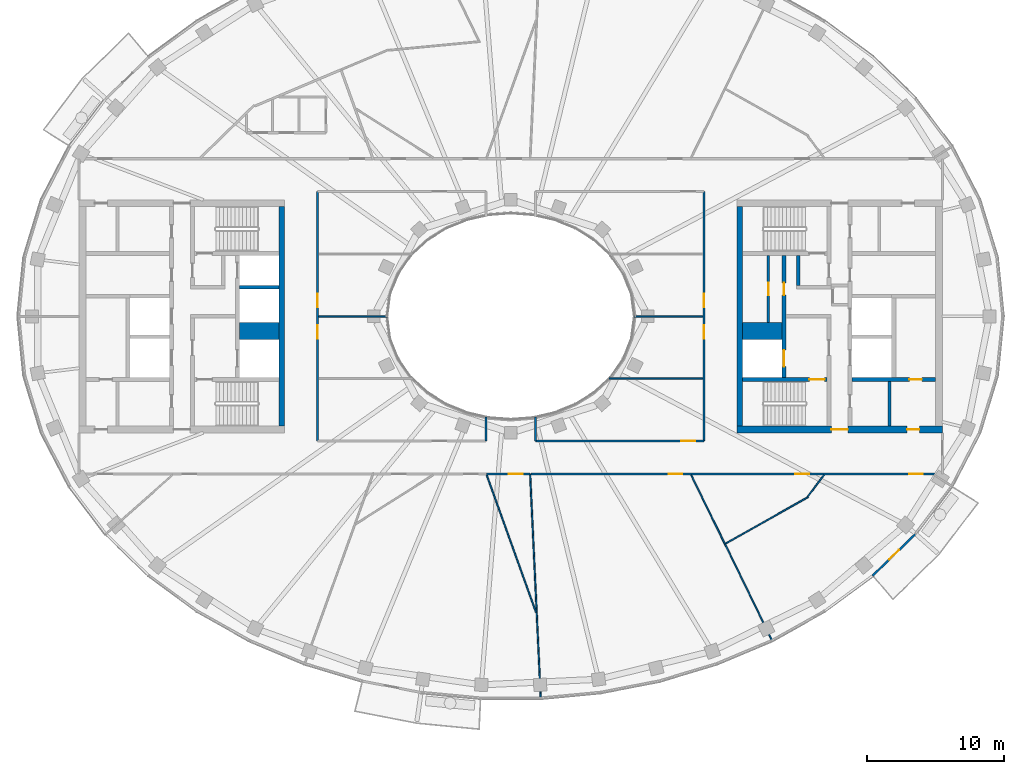
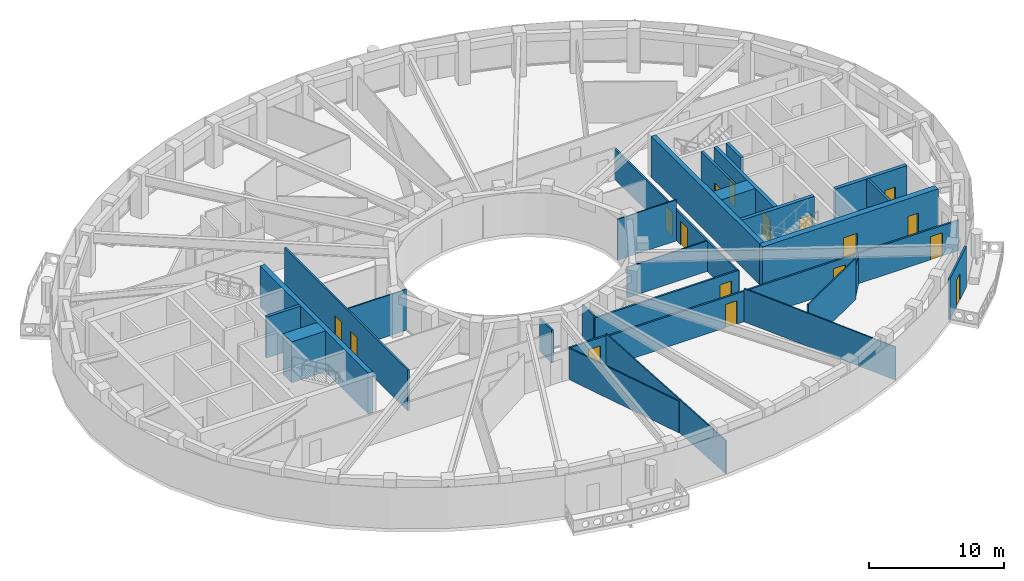
# One storey, part 4 of 16: 28 walls, 17 doors, 17 openings.
"""IFC4 building model written with IfcOpenShell, lengths in metres."""

from ifc_helpers import new_model, si_unit, direction, frame, frame_2d, origin, place, context, subcontext, project, spatial, rectangle, extrude, material, layer, layer_set, type_object, element, fill, save


model = new_model("IFC4")

# Units and contexts
model_context = context("Model", 3, precision=1e-05, world=origin(), true_north=direction((0.0, 1.0)))
body_context = subcontext(model_context, "Body", "Model", "MODEL_VIEW")
ifc_project = project(units=[si_unit("LENGTHUNIT", "METRE"), si_unit("AREAUNIT", "SQUARE_METRE"), si_unit("VOLUMEUNIT", "CUBIC_METRE"), si_unit("PLANEANGLEUNIT", "RADIAN"), si_unit("MASSUNIT", "GRAM", prefix="KILO")], contexts=[model_context])

# Site, building, storey
site_placement = place(None, origin())
site = spatial("IfcSite", under=ifc_project, at=site_placement, CompositionType="ELEMENT")
building_placement = place(site_placement, origin())
building = spatial("IfcBuilding", under=site, at=building_placement, Name="Noorbagh Ring Tower", CompositionType="ELEMENT")
storey_placement = place(building_placement, frame((0.0, 0.0, 303.0)))
storey = spatial("IfcBuildingStorey", under=building, at=storey_placement, Name="L65", CompositionType="ELEMENT", Elevation=303.0)

# Wall, opening, door
ifc_material_1 = material(Name="Gypsum board on steel studs", Category="steel")
ifc_layer_1 = layer(ifc_material_1, 0.199951171875)
ifc_layer_set_1 = layer_set([ifc_layer_1], Name="Gypsum board on steel studs")
wall_type_1 = type_object("IfcWallType", Name="CORE-PARTITION-200", PredefinedType="PARTITIONING", material=ifc_layer_set_1)
wall_1_placement = place(storey_placement, frame((18.800048828125, -0.449951171875, 0.0), z_axis=(0.0, 0.0, 1.0), x_axis=(0.0, 1.0, 0.0)))
wall_1 = element("IfcWall", 1, at=wall_1_placement, inside=storey, type_object=wall_type_1, Name="Core partition E", PredefinedType="PARTITIONING", context=body_context, shape_type="SweptSolid", body=[
    extrude(rectangle(XDim=4.89990234375, YDim=0.199951171875, at=frame_2d((2.449951171875, 0.0))), origin(), (0.0, 0.0, 1.0), 3.699951171875),
])
opening_1_placement = place(wall_1_placement, frame((2.0, 0.0, 0.0)))
opening_1 = element("IfcOpeningElement", 2, at=opening_1_placement, cuts=wall_1, Name="Opening L65-CE11", PredefinedType="OPENING", context=body_context, shape_type="SweptSolid", body=[
    extrude(rectangle(XDim=0.89990234375, YDim=2.10009765625, at=frame_2d((0.449951171875, 1.050048828125))), frame((0.0, 0.10986328125, 0.0), z_axis=(0.0, -1.0, 0.0), x_axis=(1.0, 0.0, 0.0)), (0.0, 0.0, 1.0), 0.219970703125),
])
ifc_material_2 = material(Name="Steel door leaf", Category="steel")
door_type_1 = type_object("IfcDoorType", Name="CORE-DOOR-DROOM", OperationType="SINGLE_SWING_LEFT", PredefinedType="DOOR", material=ifc_material_2)
door_1_placement = place(opening_1_placement, origin())
door_1 = element("IfcDoor", 3, at=door_1_placement, inside=storey, type_object=door_type_1, Name="Core room door L65-CE11", OperationType="SINGLE_SWING_RIGHT", OverallHeight=2.10009765625, OverallWidth=0.89990234375, PredefinedType="DOOR", context=body_context, shape_type="SweptSolid", body=[
    extrude(rectangle(XDim=0.89990234375, YDim=2.10009765625, at=frame_2d((0.449951171875, 1.050048828125))), frame((0.0, 0.02490234375, 0.0), z_axis=(0.0, -1.0, 0.0), x_axis=(1.0, 0.0, 0.0)), (0.0, 0.0, 1.0), 0.050048828125),
])
fill(opening_1, door_1)

# Walls
wall_2_placement = place(storey_placement, frame((27.64990234375, -8.0, 0.0), z_axis=(0.0, 0.0, 1.0), x_axis=(0.0, 1.0, 0.0)))
element("IfcWall", 4, at=wall_2_placement, inside=storey, type_object=wall_type_1, Name="Core partition E", PredefinedType="PARTITIONING", context=body_context, shape_type="SweptSolid", body=[
    extrude(rectangle(XDim=3.25, YDim=0.199951171875, at=frame_2d((1.625, 0.0))), origin(), (0.0, 0.0, 1.0), 3.699951171875),
])
ifc_material_3 = material(Name="Concrete C50/60", Category="concrete")
ifc_layer_2 = layer(ifc_material_3, 1.25)
ifc_layer_set_2 = layer_set([ifc_layer_2], Name="Concrete C50/60")
wall_type_2 = type_object("IfcWallType", Name="CORE-WALL-1250-C50-60-EI120", PredefinedType="SHEAR", material=ifc_layer_set_2)
for number, where, z_axis, x_axis, name in (
    (5, (-16.89990234375, -1.074951171875, 0.0), (0.0, 0.0, 1.0), (-1.0, 0.0, 0.0), "Core wall W"),
    (6, (16.89990234375, -1.074951171875, 0.0), (0.0, 0.0, 1.0), (1.0, 0.0, 0.0), "Core wall E"),
):
    element("IfcWall", number, at=place(storey_placement, frame(where, z_axis=z_axis, x_axis=x_axis)), inside=storey, type_object=wall_type_2, Name=name, PredefinedType="SHEAR", context=body_context, shape_type="SweptSolid", body=[
        extrude(rectangle(XDim=2.900146484375, YDim=1.25, at=frame_2d((1.4501953125, 0.0))), origin(), (0.0, 0.0, 1.0), 3.699951171875),
    ])
ifc_material_4 = material(Name="Concrete C50/60", Category="concrete")
ifc_layer_3 = layer(ifc_material_4, 0.25)
ifc_layer_set_3 = layer_set([ifc_layer_3], Name="Concrete C50/60")
wall_type_3 = type_object("IfcWallType", Name="CORE-WALL-250-C50-60-EI120", PredefinedType="SHEAR", material=ifc_layer_set_3)
wall_3_placement = place(storey_placement, frame((-16.89990234375, 2.125, 0.0), z_axis=(0.0, 0.0, 1.0), x_axis=(-1.0, 0.0, 0.0)))
element("IfcWall", 7, at=wall_3_placement, inside=storey, type_object=wall_type_3, Name="Core wall W", PredefinedType="SHEAR", context=body_context, shape_type="SweptSolid", body=[
    extrude(rectangle(XDim=2.900146484375, YDim=0.25, at=frame_2d((1.4501953125, 0.0))), origin(), (0.0, 0.0, 1.0), 3.699951171875),
])
ifc_material_5 = material(Name="Concrete C50/60", Category="concrete")
ifc_layer_4 = layer(ifc_material_5, 0.25)
ifc_layer_set_4 = layer_set([ifc_layer_4], Name="Concrete C50/60")
wall_type_4 = type_object("IfcWallType", Name="CORE-WALL-250-C50-60-EI240", PredefinedType="SHEAR", material=ifc_layer_set_4)
wall_4_placement = place(storey_placement, frame((20.97509765625, 2.25, 0.0), z_axis=(0.0, 0.0, 1.0), x_axis=(0.0, 1.0, 0.0)))
element("IfcWall", 8, at=wall_4_placement, inside=storey, type_object=wall_type_4, Name="Core wall E", PredefinedType="SHEAR", context=body_context, shape_type="SweptSolid", body=[
    extrude(rectangle(XDim=2.199951171875, YDim=0.25, at=frame_2d((1.10009765625, 0.0))), origin(), (0.0, 0.0, 1.0), 3.699951171875),
])

# Wall, openings, doors
ifc_material_6 = material(Name="Concrete C50/60", Category="concrete")
ifc_layer_5 = layer(ifc_material_6, 0.300048828125)
ifc_layer_set_5 = layer_set([ifc_layer_5], Name="Concrete C50/60")
wall_type_5 = type_object("IfcWallType", Name="CORE-WALL-300-C50-60-EI120", PredefinedType="SHEAR", material=ifc_layer_set_5)
wall_5_placement = place(storey_placement, frame((19.949951171875, -4.449951171875, 0.0), z_axis=(0.0, 0.0, 1.0), x_axis=(0.0, 1.0, 0.0)))
wall_5 = element("IfcWall", 9, at=wall_5_placement, inside=storey, type_object=wall_type_5, Name="Core wall E", PredefinedType="SHEAR", context=body_context, shape_type="SweptSolid", body=[
    extrude(rectangle(XDim=8.89990234375, YDim=0.300048828125, at=frame_2d((4.449951171875, 0.0))), origin(), (0.0, 0.0, 1.0), 3.699951171875),
])
opening_2_placement = place(wall_5_placement, frame((0.77490234375, 0.0, 0.0)))
opening_2 = element("IfcOpeningElement", 10, at=opening_2_placement, cuts=wall_5, Name="Opening L65-CE01", PredefinedType="OPENING", context=body_context, shape_type="SweptSolid", body=[
    extrude(rectangle(XDim=1.199951171875, YDim=2.10009765625, at=frame_2d((0.60009765625, 1.050048828125))), frame((0.0, 0.16015625, 0.0), z_axis=(0.0, -1.0, 0.0), x_axis=(1.0, 0.0, 0.0)), (0.0, 0.0, 1.0), 0.320068359375),
])
opening_3_placement = place(wall_5_placement, frame((6.0, 0.0, 0.0)))
opening_3 = element("IfcOpeningElement", 11, at=opening_3_placement, cuts=wall_5, Name="Opening L65-CE10", PredefinedType="OPENING", context=body_context, shape_type="SweptSolid", body=[
    extrude(rectangle(XDim=0.89990234375, YDim=2.10009765625, at=frame_2d((0.449951171875, 1.050048828125))), frame((0.0, 0.16015625, 0.0), z_axis=(0.0, -1.0, 0.0), x_axis=(1.0, 0.0, 0.0)), (0.0, 0.0, 1.0), 0.320068359375),
])
door_2_placement = place(opening_3_placement, origin())
door_2 = element("IfcDoor", 12, at=door_2_placement, inside=storey, type_object=door_type_1, Name="Core room door L65-CE10", OperationType="SINGLE_SWING_RIGHT", OverallHeight=2.10009765625, OverallWidth=0.89990234375, PredefinedType="DOOR", context=body_context, shape_type="SweptSolid", body=[
    extrude(rectangle(XDim=0.89990234375, YDim=2.10009765625, at=frame_2d((0.449951171875, 1.050048828125))), frame((0.0, 0.02490234375, 0.0), z_axis=(0.0, -1.0, 0.0), x_axis=(1.0, 0.0, 0.0)), (0.0, 0.0, 1.0), 0.050048828125),
])
fill(opening_3, door_2)
ifc_material_7 = material(Name="Steel door leaf", Category="steel")
door_type_2 = type_object("IfcDoorType", Name="CORE-DOOR-LDW", OperationType="DOUBLE_DOOR_SLIDING", PredefinedType="DOOR", material=ifc_material_7)
door_3_placement = place(opening_2_placement, origin())
door_3 = element("IfcDoor", 13, at=door_3_placement, inside=storey, type_object=door_type_2, Name="Landing door FF2 L65-CE01", OperationType="DOUBLE_DOOR_SLIDING", OverallHeight=2.10009765625, OverallWidth=1.199951171875, PredefinedType="DOOR", context=body_context, shape_type="SweptSolid", body=[
    extrude(rectangle(XDim=1.199951171875, YDim=2.10009765625, at=frame_2d((0.60009765625, 1.050048828125))), frame((0.0, 0.02490234375, 0.0), z_axis=(0.0, -1.0, 0.0), x_axis=(1.0, 0.0, 0.0)), (0.0, 0.0, 1.0), 0.050048828125),
])
fill(opening_2, door_3)

# Wall, opening, door
ifc_material_8 = material(Name="Concrete C50/60", Category="concrete")
ifc_layer_6 = layer(ifc_material_8, 0.300048828125)
ifc_layer_set_6 = layer_set([ifc_layer_6], Name="Concrete C50/60")
wall_type_6 = type_object("IfcWallType", Name="CORE-WALL-300-C50-60-EI240", PredefinedType="SHEAR", material=ifc_layer_set_6)
wall_6_placement = place(storey_placement, frame((24.89990234375, -4.60009765625, 0.0), z_axis=(0.0, 0.0, 1.0), x_axis=(1.0, 0.0, 0.0)))
wall_6 = element("IfcWall", 14, at=wall_6_placement, inside=storey, type_object=wall_type_6, Name="Core wall E", PredefinedType="SHEAR", context=body_context, shape_type="SweptSolid", body=[
    extrude(rectangle(XDim=6.10009765625, YDim=0.300048828125, at=frame_2d((3.050048828125, 0.0))), origin(), (0.0, 0.0, 1.0), 3.699951171875),
])
opening_4_placement = place(wall_6_placement, frame((4.199951171875, 0.0, 0.0)))
opening_4 = element("IfcOpeningElement", 15, at=opening_4_placement, cuts=wall_6, Name="Opening L65-CE18", PredefinedType="OPENING", context=body_context, shape_type="SweptSolid", body=[
    extrude(rectangle(XDim=0.89990234375, YDim=2.10009765625, at=frame_2d((0.449951171875, 1.050048828125))), frame((0.0, 0.16015625, 0.0), z_axis=(0.0, -1.0, 0.0), x_axis=(1.0, 0.0, 0.0)), (0.0, 0.0, 1.0), 0.320068359375),
])
door_4_placement = place(opening_4_placement, origin())
door_4 = element("IfcDoor", 16, at=door_4_placement, inside=storey, type_object=door_type_1, Name="Core room door L65-CE18", OperationType="SINGLE_SWING_LEFT", OverallHeight=2.10009765625, OverallWidth=0.89990234375, PredefinedType="DOOR", context=body_context, shape_type="SweptSolid", body=[
    extrude(rectangle(XDim=0.89990234375, YDim=2.10009765625, at=frame_2d((0.449951171875, 1.050048828125))), frame((0.0, 0.02490234375, 0.0), z_axis=(0.0, -1.0, 0.0), x_axis=(1.0, 0.0, 0.0)), (0.0, 0.0, 1.0), 0.050048828125),
])
fill(opening_4, door_4)

wall_7_placement = place(storey_placement, frame((16.89990234375, -4.60009765625, 0.0), z_axis=(0.0, 0.0, 1.0), x_axis=(1.0, 0.0, 0.0)))
wall_7 = element("IfcWall", 17, at=wall_7_placement, inside=storey, type_object=wall_type_6, Name="Core wall E", PredefinedType="SHEAR", context=body_context, shape_type="SweptSolid", body=[
    extrude(rectangle(XDim=6.18017578125, YDim=0.300048828125, at=frame_2d((3.090087890625, 0.0))), origin(), (0.0, 0.0, 1.0), 3.699951171875),
])
opening_5_placement = place(wall_7_placement, frame((4.89990234375, 0.0, 0.0)))
opening_5 = element("IfcOpeningElement", 18, at=opening_5_placement, cuts=wall_7, Name="Opening L65-CE05", PredefinedType="OPENING", context=body_context, shape_type="SweptSolid", body=[
    extrude(rectangle(XDim=1.10009765625, YDim=2.10009765625, at=frame_2d((0.550048828125, 1.050048828125))), frame((0.0, 0.16015625, 0.0), z_axis=(0.0, -1.0, 0.0), x_axis=(1.0, 0.0, 0.0)), (0.0, 0.0, 1.0), 0.320068359375),
])
ifc_material_9 = material(Name="Steel door leaf", Category="steel")
door_type_3 = type_object("IfcDoorType", Name="CORE-DOOR-DSTAIR", OperationType="SINGLE_SWING_LEFT", PredefinedType="DOOR", material=ifc_material_9)
door_5_placement = place(opening_5_placement, origin())
door_5 = element("IfcDoor", 19, at=door_5_placement, inside=storey, type_object=door_type_3, Name="Stair door ST4 L65-CE05", OperationType="SINGLE_SWING_RIGHT", OverallHeight=2.10009765625, OverallWidth=1.10009765625, PredefinedType="DOOR", context=body_context, shape_type="SweptSolid", body=[
    extrude(rectangle(XDim=1.10009765625, YDim=2.10009765625, at=frame_2d((0.550048828125, 1.050048828125))), frame((0.0, 0.02490234375, 0.0), z_axis=(0.0, -1.0, 0.0), x_axis=(1.0, 0.0, 0.0)), (0.0, 0.0, 1.0), 0.050048828125),
])
fill(opening_5, door_5)

# Walls
ifc_material_10 = material(Name="Concrete C50/60", Category="concrete")
ifc_layer_7 = layer(ifc_material_10, 0.39990234375)
ifc_layer_set_7 = layer_set([ifc_layer_7], Name="Concrete C50/60")
wall_type_7 = type_object("IfcWallType", Name="CORE-WALL-400-C50-60-EI240", PredefinedType="SHEAR", material=ifc_layer_set_7)
for number, where, z_axis, x_axis, name in (
    (20, (-16.699951171875, -8.0, 0.0), (0.0, 0.0, 1.0), (0.0, 1.0, 0.0), "Core wall W"),
    (21, (16.699951171875, -8.0, 0.0), (0.0, 0.0, 1.0), (0.0, 1.0, 0.0), "Core wall E"),
):
    element("IfcWall", number, at=place(storey_placement, frame(where, z_axis=z_axis, x_axis=x_axis)), inside=storey, type_object=wall_type_7, Name=name, PredefinedType="SHEAR", context=body_context, shape_type="SweptSolid", body=[
        extrude(rectangle(XDim=16.0, YDim=0.39990234375, at=frame_2d((8.0, 0.0))), origin(), (0.0, 0.0, 1.0), 3.699951171875),
    ])

# Wall, openings, doors
ifc_material_11 = material(Name="Concrete C50/60", Category="concrete")
ifc_layer_8 = layer(ifc_material_11, 0.5)
ifc_layer_set_8 = layer_set([ifc_layer_8], Name="Concrete C50/60")
wall_type_8 = type_object("IfcWallType", Name="CORE-WALL-500-C50-60-EI240", PredefinedType="SHEAR", material=ifc_layer_set_8)
wall_8_placement = place(storey_placement, frame((16.5, -8.25, 0.0), z_axis=(0.0, 0.0, 1.0), x_axis=(1.0, 0.0, 0.0)))
wall_8 = element("IfcWall", 22, at=wall_8_placement, inside=storey, type_object=wall_type_8, Name="Core wall E", PredefinedType="SHEAR", context=body_context, shape_type="SweptSolid", body=[
    extrude(rectangle(XDim=15.0, YDim=0.5, at=frame_2d((7.5, 0.0))), origin(), (0.0, 0.0, 1.0), 3.699951171875),
])
opening_6_placement = place(wall_8_placement, frame((6.89990234375, 0.0, 0.0)))
opening_6 = element("IfcOpeningElement", 23, at=opening_6_placement, cuts=wall_8, Name="Opening L65-CE09", PredefinedType="OPENING", context=body_context, shape_type="SweptSolid", body=[
    extrude(rectangle(XDim=1.199951171875, YDim=2.10009765625, at=frame_2d((0.60009765625, 1.050048828125))), frame((0.0, 0.260009765625, 0.0), z_axis=(0.0, -1.0, 0.0), x_axis=(1.0, 0.0, 0.0)), (0.0, 0.0, 1.0), 0.52001953125),
])
opening_7_placement = place(wall_8_placement, frame((12.425048828125, 0.0, 0.0)))
opening_7 = element("IfcOpeningElement", 24, at=opening_7_placement, cuts=wall_8, Name="Opening L65-CE16", PredefinedType="OPENING", context=body_context, shape_type="SweptSolid", body=[
    extrude(rectangle(XDim=0.89990234375, YDim=2.10009765625, at=frame_2d((0.449951171875, 1.050048828125))), frame((0.0, 0.260009765625, 0.0), z_axis=(0.0, -1.0, 0.0), x_axis=(1.0, 0.0, 0.0)), (0.0, 0.0, 1.0), 0.52001953125),
])
door_6_placement = place(opening_7_placement, origin())
door_6 = element("IfcDoor", 25, at=door_6_placement, inside=storey, type_object=door_type_1, Name="Core room door L65-CE16", OperationType="SINGLE_SWING_RIGHT", OverallHeight=2.10009765625, OverallWidth=0.89990234375, PredefinedType="DOOR", context=body_context, shape_type="SweptSolid", body=[
    extrude(rectangle(XDim=0.89990234375, YDim=2.10009765625, at=frame_2d((0.449951171875, 1.050048828125))), frame((0.0, 0.02490234375, 0.0), z_axis=(0.0, -1.0, 0.0), x_axis=(1.0, 0.0, 0.0)), (0.0, 0.0, 1.0), 0.050048828125),
])
fill(opening_7, door_6)
ifc_material_12 = material(Name="Steel door leaf", Category="steel")
door_type_4 = type_object("IfcDoorType", Name="CORE-DOOR-PORT", OperationType="DOUBLE_DOOR_DOUBLE_SWING", PredefinedType="DOOR", material=ifc_material_12)
door_7_placement = place(opening_6_placement, origin())
door_7 = element("IfcDoor", 26, at=door_7_placement, inside=storey, type_object=door_type_4, Name="Core entrance door L65-CE09", OperationType="DOUBLE_DOOR_DOUBLE_SWING", OverallHeight=2.10009765625, OverallWidth=1.199951171875, PredefinedType="DOOR", context=body_context, shape_type="SweptSolid", body=[
    extrude(rectangle(XDim=1.199951171875, YDim=2.10009765625, at=frame_2d((0.60009765625, 1.050048828125))), frame((0.0, 0.02490234375, 0.0), z_axis=(0.0, -1.0, 0.0), x_axis=(1.0, 0.0, 0.0)), (0.0, 0.0, 1.0), 0.050048828125),
])
fill(opening_6, door_7)

ifc_material_13 = material(Name="Gypsum board on steel studs", Category="steel")
ifc_layer_9 = layer(ifc_material_13, 0.14990234375)
ifc_layer_set_9 = layer_set([ifc_layer_9], Name="Gypsum board on steel studs")
wall_type_9 = type_object("IfcWallType", Name="CORRIDOR PARTITION 150 EI 30", PredefinedType="PARTITIONING", material=ifc_layer_set_9)
wall_9_placement = place(storey_placement, frame((-14.10009765625, -9.10009765625, 0.0), z_axis=(0.0, 0.0, 1.0), x_axis=(0.0, 1.0, 0.0)))
wall_9 = element("IfcWall", 27, at=wall_9_placement, inside=storey, type_object=wall_type_9, Name="L65/wall/P15", PredefinedType="PARTITIONING", context=body_context, shape_type="SweptSolid", body=[
    extrude(rectangle(XDim=18.2001953125, YDim=0.14990234375, at=frame_2d((9.10009765625, 0.0))), origin(), (0.0, 0.0, 1.0), 3.699951171875),
])
opening_8_placement = place(wall_9_placement, frame((7.449951171875, 0.0, 0.0)))
opening_8 = element("IfcOpeningElement", 28, at=opening_8_placement, cuts=wall_9, Name="Opening D1", PredefinedType="OPENING", context=body_context, shape_type="SweptSolid", body=[
    extrude(rectangle(XDim=1.0, YDim=2.10009765625, at=frame_2d((0.5, 1.050048828125))), frame((0.0, 0.0849609375, 0.0), z_axis=(0.0, -1.0, 0.0), x_axis=(1.0, 0.0, 0.0)), (0.0, 0.0, 1.0), 0.169921875),
])
opening_9_placement = place(wall_9_placement, frame((9.75, 0.0, 0.0)))
opening_9 = element("IfcOpeningElement", 29, at=opening_9_placement, cuts=wall_9, Name="Opening D1", PredefinedType="OPENING", context=body_context, shape_type="SweptSolid", body=[
    extrude(rectangle(XDim=1.0, YDim=2.10009765625, at=frame_2d((0.5, 1.050048828125))), frame((0.0, 0.0849609375, 0.0), z_axis=(0.0, -1.0, 0.0), x_axis=(1.0, 0.0, 0.0)), (0.0, 0.0, 1.0), 0.169921875),
])
ifc_material_14 = material(Name="Timber, painted", Category="wood")
door_type_5 = type_object("IfcDoorType", Name="DOOR 1000 X 2100 FD30", OperationType="SINGLE_SWING_LEFT", PredefinedType="DOOR", material=ifc_material_14)
door_8_placement = place(opening_8_placement, origin())
door_8 = element("IfcDoor", 30, at=door_8_placement, inside=storey, type_object=door_type_5, Name="L65-D22", OperationType="SINGLE_SWING_RIGHT", OverallHeight=2.10009765625, OverallWidth=1.0, PredefinedType="DOOR", context=body_context, shape_type="SweptSolid", body=[
    extrude(rectangle(XDim=1.0, YDim=2.10009765625, at=frame_2d((0.5, 1.050048828125))), frame((0.0, 0.02490234375, 0.0), z_axis=(0.0, -1.0, 0.0), x_axis=(1.0, 0.0, 0.0)), (0.0, 0.0, 1.0), 0.050048828125),
])
fill(opening_8, door_8)
door_9_placement = place(opening_9_placement, origin())
door_9 = element("IfcDoor", 31, at=door_9_placement, inside=storey, type_object=door_type_5, Name="L65-D23", OperationType="SINGLE_SWING_LEFT", OverallHeight=2.10009765625, OverallWidth=1.0, PredefinedType="DOOR", context=body_context, shape_type="SweptSolid", body=[
    extrude(rectangle(XDim=1.0, YDim=2.10009765625, at=frame_2d((0.5, 1.050048828125))), frame((0.0, 0.02490234375, 0.0), z_axis=(0.0, -1.0, 0.0), x_axis=(1.0, 0.0, 0.0)), (0.0, 0.0, 1.0), 0.050048828125),
])
fill(opening_9, door_9)

# Wall
wall_10_placement = place(storey_placement, frame((-1.800048828125, -9.10009765625, 0.0), z_axis=(0.0, 0.0, 1.0), x_axis=(0.0, 1.0, 0.0)))
element("IfcWall", 32, at=wall_10_placement, inside=storey, type_object=wall_type_9, Name="L65/wall/P30", PredefinedType="PARTITIONING", context=body_context, shape_type="SweptSolid", body=[
    extrude(rectangle(XDim=1.76416015625, YDim=0.14990234375, at=frame_2d((0.882080078125, 0.0))), origin(), (0.0, 0.0, 1.0), 3.0),
])

# Wall, opening, door
wall_11_placement = place(storey_placement, frame((-1.77392578125, -11.5, 0.0), z_axis=(0.0, 0.0, 1.0), x_axis=(1.0, 0.0, 0.0)))
wall_11 = element("IfcWall", 33, at=wall_11_placement, inside=storey, type_object=wall_type_9, Name="L65/wall/P34", PredefinedType="PARTITIONING", context=body_context, shape_type="SweptSolid", body=[
    extrude(rectangle(XDim=3.183837890625, YDim=0.14990234375, at=frame_2d((1.591796875, 0.0))), origin(), (0.0, 0.0, 1.0), 2.85009765625),
])
opening_10_placement = place(wall_11_placement, frame((1.638916015625, 0.0, 0.0)))
opening_10 = element("IfcOpeningElement", 34, at=opening_10_placement, cuts=wall_11, Name="Opening D1", PredefinedType="OPENING", context=body_context, shape_type="SweptSolid", body=[
    extrude(rectangle(XDim=1.0, YDim=2.10009765625, at=frame_2d((0.5, 1.050048828125))), frame((0.0, 0.0849609375, 0.0), z_axis=(0.0, -1.0, 0.0), x_axis=(1.0, 0.0, 0.0)), (0.0, 0.0, 1.0), 0.169921875),
])
door_10_placement = place(opening_10_placement, origin())
door_10 = element("IfcDoor", 35, at=door_10_placement, inside=storey, type_object=door_type_5, Name="L65-D12", OperationType="SINGLE_SWING_RIGHT", OverallHeight=2.10009765625, OverallWidth=1.0, PredefinedType="DOOR", context=body_context, shape_type="SweptSolid", body=[
    extrude(rectangle(XDim=1.0, YDim=2.10009765625, at=frame_2d((0.5, 1.050048828125))), frame((0.0, 0.02490234375, 0.0), z_axis=(0.0, -1.0, 0.0), x_axis=(1.0, 0.0, 0.0)), (0.0, 0.0, 1.0), 0.050048828125),
])
fill(opening_10, door_10)

# Wall
wall_12_placement = place(storey_placement, frame((1.800048828125, -9.10009765625, 0.0), z_axis=(0.0, 0.0, 1.0), x_axis=(0.0, 1.0, 0.0)))
element("IfcWall", 36, at=wall_12_placement, inside=storey, type_object=wall_type_9, Name="L65/wall/P38", PredefinedType="PARTITIONING", context=body_context, shape_type="SweptSolid", body=[
    extrude(rectangle(XDim=1.76416015625, YDim=0.14990234375, at=frame_2d((0.882080078125, 0.0))), origin(), (0.0, 0.0, 1.0), 3.0),
])

# Wall, opening, door
wall_13_placement = place(storey_placement, frame((1.800048828125, -9.10009765625, 0.0), z_axis=(0.0, 0.0, 1.0), x_axis=(1.0, 0.0, 0.0)))
wall_13 = element("IfcWall", 37, at=wall_13_placement, inside=storey, type_object=wall_type_9, Name="L65/wall/P39", PredefinedType="PARTITIONING", context=body_context, shape_type="SweptSolid", body=[
    extrude(rectangle(XDim=12.300048828125, YDim=0.14990234375, at=frame_2d((6.14990234375, 0.0))), origin(), (0.0, 0.0, 1.0), 2.85009765625),
])
opening_11_placement = place(wall_13_placement, frame((10.64990234375, 0.0, 0.0)))
opening_11 = element("IfcOpeningElement", 38, at=opening_11_placement, cuts=wall_13, Name="Opening D1", PredefinedType="OPENING", context=body_context, shape_type="SweptSolid", body=[
    extrude(rectangle(XDim=1.0, YDim=2.10009765625, at=frame_2d((0.5, 1.050048828125))), frame((0.0, 0.0849609375, 0.0), z_axis=(0.0, -1.0, 0.0), x_axis=(1.0, 0.0, 0.0)), (0.0, 0.0, 1.0), 0.169921875),
])
door_11_placement = place(opening_11_placement, origin())
door_11 = element("IfcDoor", 39, at=door_11_placement, inside=storey, type_object=door_type_5, Name="L65-D25", OperationType="SINGLE_SWING_LEFT", OverallHeight=2.10009765625, OverallWidth=1.0, PredefinedType="DOOR", context=body_context, shape_type="SweptSolid", body=[
    extrude(rectangle(XDim=1.0, YDim=2.10009765625, at=frame_2d((0.5, 1.050048828125))), frame((0.0, 0.02490234375, 0.0), z_axis=(0.0, -1.0, 0.0), x_axis=(1.0, 0.0, 0.0)), (0.0, 0.0, 1.0), 0.050048828125),
])
fill(opening_11, door_11)

# Wall, openings, doors
wall_14_placement = place(storey_placement, frame((1.485107421875, -11.5, 0.0), z_axis=(0.0, 0.0, 1.0), x_axis=(1.0, 0.0, 0.0)))
wall_14 = element("IfcWall", 40, at=wall_14_placement, inside=storey, type_object=wall_type_9, Name="L65/wall/P42", PredefinedType="PARTITIONING", context=body_context, shape_type="SweptSolid", body=[
    extrude(rectangle(XDim=30.014892578125, YDim=0.14990234375, at=frame_2d((15.00732421875, 0.0))), origin(), (0.0, 0.0, 1.0), 2.75),
])
opening_12_placement = place(wall_14_placement, frame((10.048095703125, 0.0, 0.0)))
opening_12 = element("IfcOpeningElement", 41, at=opening_12_placement, cuts=wall_14, Name="Opening D1", PredefinedType="OPENING", context=body_context, shape_type="SweptSolid", body=[
    extrude(rectangle(XDim=1.0, YDim=2.10009765625, at=frame_2d((0.5, 1.050048828125))), frame((0.0, 0.0849609375, 0.0), z_axis=(0.0, -1.0, 0.0), x_axis=(1.0, 0.0, 0.0)), (0.0, 0.0, 1.0), 0.169921875),
])
opening_13_placement = place(wall_14_placement, frame((19.2939453125, 0.0, 0.0)))
opening_13 = element("IfcOpeningElement", 42, at=opening_13_placement, cuts=wall_14, Name="Opening D1", PredefinedType="OPENING", context=body_context, shape_type="SweptSolid", body=[
    extrude(rectangle(XDim=1.0, YDim=2.10009765625, at=frame_2d((0.5, 1.050048828125))), frame((0.0, 0.0849609375, 0.0), z_axis=(0.0, -1.0, 0.0), x_axis=(1.0, 0.0, 0.0)), (0.0, 0.0, 1.0), 0.169921875),
])
opening_14_placement = place(wall_14_placement, frame((27.5830078125, 0.0, 0.0)))
opening_14 = element("IfcOpeningElement", 43, at=opening_14_placement, cuts=wall_14, Name="Opening D1", PredefinedType="OPENING", context=body_context, shape_type="SweptSolid", body=[
    extrude(rectangle(XDim=1.0, YDim=2.10009765625, at=frame_2d((0.5, 1.050048828125))), frame((0.0, 0.0849609375, 0.0), z_axis=(0.0, -1.0, 0.0), x_axis=(1.0, 0.0, 0.0)), (0.0, 0.0, 1.0), 0.169921875),
])
door_12_placement = place(opening_12_placement, origin())
door_12 = element("IfcDoor", 44, at=door_12_placement, inside=storey, type_object=door_type_5, Name="L65-D14", OperationType="SINGLE_SWING_RIGHT", OverallHeight=2.10009765625, OverallWidth=1.0, PredefinedType="DOOR", context=body_context, shape_type="SweptSolid", body=[
    extrude(rectangle(XDim=1.0, YDim=2.10009765625, at=frame_2d((0.5, 1.050048828125))), frame((0.0, 0.02490234375, 0.0), z_axis=(0.0, -1.0, 0.0), x_axis=(1.0, 0.0, 0.0)), (0.0, 0.0, 1.0), 0.050048828125),
])
fill(opening_12, door_12)
door_13_placement = place(opening_13_placement, origin())
door_13 = element("IfcDoor", 45, at=door_13_placement, inside=storey, type_object=door_type_5, Name="L65-D16", OperationType="SINGLE_SWING_RIGHT", OverallHeight=2.10009765625, OverallWidth=1.0, PredefinedType="DOOR", context=body_context, shape_type="SweptSolid", body=[
    extrude(rectangle(XDim=1.0, YDim=2.10009765625, at=frame_2d((0.5, 1.050048828125))), frame((0.0, 0.02490234375, 0.0), z_axis=(0.0, -1.0, 0.0), x_axis=(1.0, 0.0, 0.0)), (0.0, 0.0, 1.0), 0.050048828125),
])
fill(opening_13, door_13)
door_14_placement = place(opening_14_placement, origin())
door_14 = element("IfcDoor", 46, at=door_14_placement, inside=storey, type_object=door_type_5, Name="L65-D18", OperationType="SINGLE_SWING_RIGHT", OverallHeight=2.10009765625, OverallWidth=1.0, PredefinedType="DOOR", context=body_context, shape_type="SweptSolid", body=[
    extrude(rectangle(XDim=1.0, YDim=2.10009765625, at=frame_2d((0.5, 1.050048828125))), frame((0.0, 0.02490234375, 0.0), z_axis=(0.0, -1.0, 0.0), x_axis=(1.0, 0.0, 0.0)), (0.0, 0.0, 1.0), 0.050048828125),
])
fill(opening_14, door_14)

wall_15_placement = place(storey_placement, frame((14.10009765625, -9.10009765625, 0.0), z_axis=(0.0, 0.0, 1.0), x_axis=(0.0, 1.0, 0.0)))
wall_15 = element("IfcWall", 47, at=wall_15_placement, inside=storey, type_object=wall_type_9, Name="L65/wall/P48", PredefinedType="PARTITIONING", context=body_context, shape_type="SweptSolid", body=[
    extrude(rectangle(XDim=18.2001953125, YDim=0.14990234375, at=frame_2d((9.10009765625, 0.0))), origin(), (0.0, 0.0, 1.0), 2.75),
])
opening_15_placement = place(wall_15_placement, frame((7.449951171875, 0.0, 0.0)))
opening_15 = element("IfcOpeningElement", 48, at=opening_15_placement, cuts=wall_15, Name="Opening D1", PredefinedType="OPENING", context=body_context, shape_type="SweptSolid", body=[
    extrude(rectangle(XDim=1.0, YDim=2.10009765625, at=frame_2d((0.5, 1.050048828125))), frame((0.0, 0.0849609375, 0.0), z_axis=(0.0, -1.0, 0.0), x_axis=(1.0, 0.0, 0.0)), (0.0, 0.0, 1.0), 0.169921875),
])
opening_16_placement = place(wall_15_placement, frame((9.75, 0.0, 0.0)))
opening_16 = element("IfcOpeningElement", 49, at=opening_16_placement, cuts=wall_15, Name="Opening D1", PredefinedType="OPENING", context=body_context, shape_type="SweptSolid", body=[
    extrude(rectangle(XDim=1.0, YDim=2.10009765625, at=frame_2d((0.5, 1.050048828125))), frame((0.0, 0.0849609375, 0.0), z_axis=(0.0, -1.0, 0.0), x_axis=(1.0, 0.0, 0.0)), (0.0, 0.0, 1.0), 0.169921875),
])
door_15_placement = place(opening_15_placement, origin())
door_15 = element("IfcDoor", 50, at=door_15_placement, inside=storey, type_object=door_type_5, Name="L65-D27", OperationType="SINGLE_SWING_LEFT", OverallHeight=2.10009765625, OverallWidth=1.0, PredefinedType="DOOR", context=body_context, shape_type="SweptSolid", body=[
    extrude(rectangle(XDim=1.0, YDim=2.10009765625, at=frame_2d((0.5, 1.050048828125))), frame((0.0, 0.02490234375, 0.0), z_axis=(0.0, -1.0, 0.0), x_axis=(1.0, 0.0, 0.0)), (0.0, 0.0, 1.0), 0.050048828125),
])
fill(opening_15, door_15)
door_16_placement = place(opening_16_placement, origin())
door_16 = element("IfcDoor", 51, at=door_16_placement, inside=storey, type_object=door_type_5, Name="L65-D28", OperationType="SINGLE_SWING_RIGHT", OverallHeight=2.10009765625, OverallWidth=1.0, PredefinedType="DOOR", context=body_context, shape_type="SweptSolid", body=[
    extrude(rectangle(XDim=1.0, YDim=2.10009765625, at=frame_2d((0.5, 1.050048828125))), frame((0.0, 0.02490234375, 0.0), z_axis=(0.0, -1.0, 0.0), x_axis=(1.0, 0.0, 0.0)), (0.0, 0.0, 1.0), 0.050048828125),
])
fill(opening_16, door_16)

# Wall, opening, door
ifc_material_15 = material(Name="Insulated aluminium clad panel", Category="aluminium")
ifc_layer_10 = layer(ifc_material_15, 0.14990234375)
ifc_layer_set_10 = layer_set([ifc_layer_10], Name="Insulated aluminium clad panel")
wall_type_10 = type_object("IfcWallType", Name="ENV-WALL-DOOR", PredefinedType="STANDARD", material=ifc_layer_set_10)
wall_16_placement = place(storey_placement, frame((26.396484375, -18.943359375, 0.0), z_axis=(0.0, 0.0, 1.0), x_axis=(0.717214761864, 0.696852197647, 0.0)))
wall_16 = element("IfcWall", 52, at=wall_16_placement, inside=storey, type_object=wall_type_10, Name="Balcony door wall chord 42", PredefinedType="STANDARD", context=body_context, shape_type="SweptSolid", body=[
    extrude(rectangle(XDim=4.424072265625, YDim=0.14990234375, at=frame_2d((2.2119140625, 0.0))), origin(), (0.0, 0.0, 1.0), 3.699951171875),
])
opening_17_placement = place(wall_16_placement, frame((1.712158203125, 0.0, 0.0)))
opening_17 = element("IfcOpeningElement", 53, at=opening_17_placement, cuts=wall_16, Name="Opening D-BL", PredefinedType="OPENING", context=body_context, shape_type="SweptSolid", body=[
    extrude(rectangle(XDim=1.0, YDim=2.39990234375, at=frame_2d((0.5, 1.199951171875))), frame((0.0, 0.0849609375, 0.0), z_axis=(0.0, -1.0, 0.0), x_axis=(1.0, 0.0, 0.0)), (0.0, 0.0, 1.0), 0.169921875),
])
ifc_material_16 = material(Name="Aluminium and glass", Category="aluminium")
door_type_6 = type_object("IfcDoorType", Name="ENV-DOOR-BALCONY", OperationType="SINGLE_SWING_LEFT", PredefinedType="DOOR", material=ifc_material_16)
door_17_placement = place(opening_17_placement, origin())
door_17 = element("IfcDoor", 54, at=door_17_placement, inside=storey, type_object=door_type_6, Name="Balcony door chord 42", OperationType="SINGLE_SWING_RIGHT", OverallHeight=2.39990234375, OverallWidth=1.0, PredefinedType="DOOR", context=body_context, shape_type="SweptSolid", body=[
    extrude(rectangle(XDim=1.0, YDim=2.39990234375, at=frame_2d((0.5, 1.199951171875))), frame((0.0, 0.02490234375, 0.0), z_axis=(0.0, -1.0, 0.0), x_axis=(1.0, 0.0, 0.0)), (0.0, 0.0, 1.0), 0.050048828125),
])
fill(opening_17, door_17)

# Walls
ifc_material_17 = material(Name="Gypsum board on steel studs", Category="steel")
ifc_layer_11 = layer(ifc_material_17, 0.10009765625)
ifc_layer_set_11 = layer_set([ifc_layer_11], Name="Gypsum board on steel studs")
wall_type_11 = type_object("IfcWallType", Name="PARTITION 100 GYPSUM", PredefinedType="PARTITIONING", material=ifc_layer_set_11)
wall_17_placement = place(storey_placement, frame((-14.02490234375, 0.0, 0.0), z_axis=(0.0, 0.0, 1.0), x_axis=(1.0, 0.0, 0.0)))
element("IfcWall", 55, at=wall_17_placement, inside=storey, type_object=wall_type_11, Name="L65/wall/P18", PredefinedType="PARTITIONING", context=body_context, shape_type="SweptSolid", body=[
    extrude(rectangle(XDim=5.02001953125, YDim=0.10009765625, at=frame_2d((2.510009765625, 0.0))), origin(), (0.0, 0.0, 1.0), 3.699951171875),
])
wall_18_placement = place(storey_placement, frame((-1.757080078125, -11.5791015625, 0.0), z_axis=(0.0, 0.0, 1.0), x_axis=(0.338284366688, -0.941043934816, 0.0)))
element("IfcWall", 56, at=wall_18_placement, inside=storey, type_object=wall_type_11, Name="L65/wall/P32", PredefinedType="PARTITIONING", context=body_context, shape_type="SweptSolid", body=[
    extrude(rectangle(XDim=10.65087890625, YDim=0.10009765625, at=frame_2d((5.325439453125, 0.0))), origin(), (0.0, 0.0, 1.0), 2.85009765625),
])
wall_19_placement = place(storey_placement, frame((1.412109375, -11.510009765625, 0.0), z_axis=(0.0, 0.0, 1.0), x_axis=(0.047410314178, -0.998875498803, 0.0)))
element("IfcWall", 57, at=wall_19_placement, inside=storey, type_object=wall_type_11, Name="L65/wall/P36", PredefinedType="PARTITIONING", context=body_context, shape_type="SweptSolid", body=[
    extrude(rectangle(XDim=16.406494140625, YDim=0.10009765625, at=frame_2d((8.203125, 0.0))), origin(), (0.0, 0.0, 1.0), 3.0),
])
wall_20_placement = place(storey_placement, frame((7.174072265625, -4.550048828125, 0.0), z_axis=(0.0, 0.0, 1.0), x_axis=(1.0, 0.0, 0.0)))
element("IfcWall", 58, at=wall_20_placement, inside=storey, type_object=wall_type_11, Name="L65/wall/P43", PredefinedType="PARTITIONING", context=body_context, shape_type="SweptSolid", body=[
    extrude(rectangle(XDim=6.850830078125, YDim=0.10009765625, at=frame_2d((3.42529296875, 0.0))), origin(), (0.0, 0.0, 1.0), 2.75),
])
wall_21_placement = place(storey_placement, frame((9.0048828125, 0.0, 0.0), z_axis=(0.0, 0.0, 1.0), x_axis=(1.0, 0.0, 0.0)))
element("IfcWall", 59, at=wall_21_placement, inside=storey, type_object=wall_type_11, Name="L65/wall/P45", PredefinedType="PARTITIONING", context=body_context, shape_type="SweptSolid", body=[
    extrude(rectangle(XDim=5.02001953125, YDim=0.10009765625, at=frame_2d((2.510009765625, 0.0))), origin(), (0.0, 0.0, 1.0), 3.699951171875),
])
wall_22_placement = place(storey_placement, frame((13.1669921875, -11.5791015625, 0.0), z_axis=(0.0, 0.0, 1.0), x_axis=(0.439297212097, -0.8983417832, 0.0)))
element("IfcWall", 60, at=wall_22_placement, inside=storey, type_object=wall_type_11, Name="L65/wall/P46", PredefinedType="PARTITIONING", context=body_context, shape_type="SweptSolid", body=[
    extrude(rectangle(XDim=13.475830078125, YDim=0.10009765625, at=frame_2d((6.73779296875, 0.0))), origin(), (0.0, 0.0, 1.0), 3.0),
])
wall_23_placement = place(storey_placement, frame((15.673095703125, -16.589111328125, 0.0), z_axis=(0.0, 0.0, 1.0), x_axis=(0.871190555515, 0.490945023381, 0.0)))
element("IfcWall", 61, at=wall_23_placement, inside=storey, type_object=wall_type_11, Name="L65/wall/P49", PredefinedType="PARTITIONING", context=body_context, shape_type="SweptSolid", body=[
    extrude(rectangle(XDim=6.931640625, YDim=0.10009765625, at=frame_2d((3.4658203125, 0.0))), origin(), (0.0, 0.0, 1.0), 3.699951171875),
])
wall_24_placement = place(storey_placement, frame((21.678955078125, -13.14794921875, 0.0), z_axis=(0.0, 0.0, 1.0), x_axis=(0.602755856466, 0.797925671661, 0.0)))
element("IfcWall", 62, at=wall_24_placement, inside=storey, type_object=wall_type_11, Name="L65/wall/P51", PredefinedType="PARTITIONING", context=body_context, shape_type="SweptSolid", body=[
    extrude(rectangle(XDim=1.9677734375, YDim=0.10009765625, at=frame_2d((0.98388671875, 0.0))), origin(), (0.0, 0.0, 1.0), 2.75),
])

save(model, "model.ifc")
